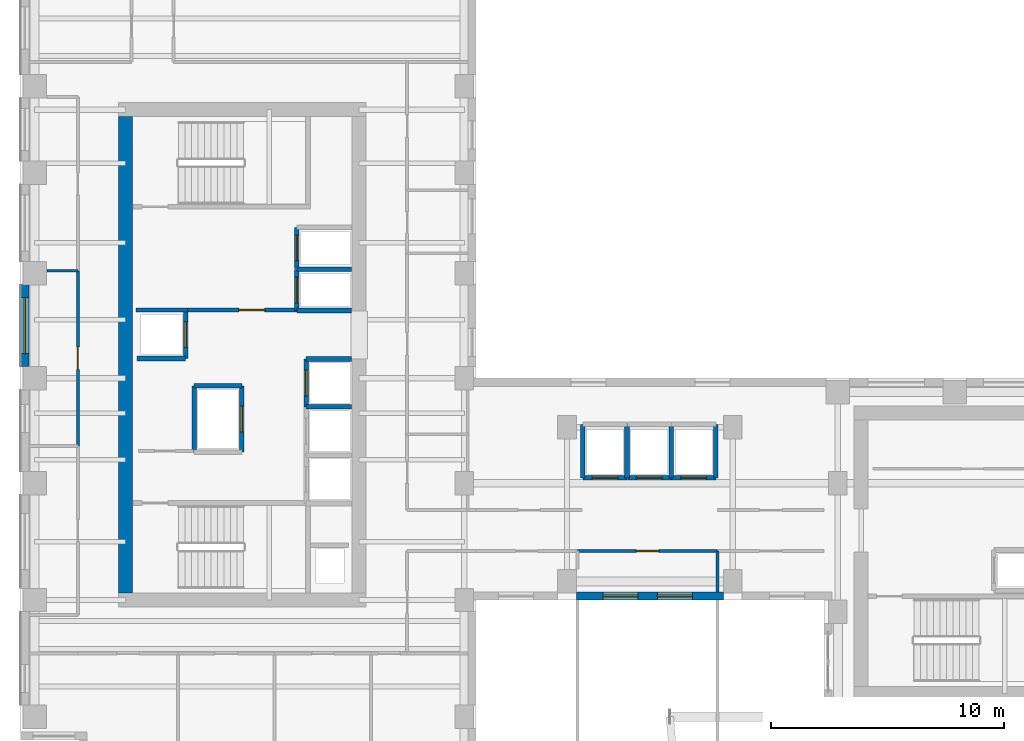
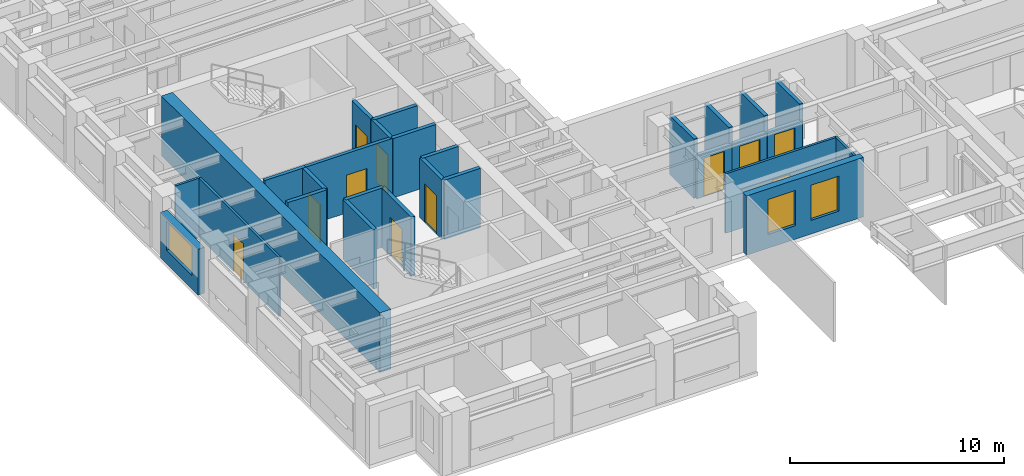
# One storey, part 7 of 13: 28 walls, 11 doors, 3 windows, 14 openings.
"""IFC4 building model written with IfcOpenShell, lengths in metres."""

from ifc_helpers import new_model, si_unit, direction, frame, frame_2d, origin, place, context, subcontext, project, spatial, rectangle, extrude, source, transform, mapped, material, layer, layer_set, type_object, element, fill, save


model = new_model("IFC4")

# Units and contexts
model_context = context("Model", 3, precision=1e-05, world=origin(), true_north=direction((0.0, 1.0)))
body_context = subcontext(model_context, "Body", "Model", "MODEL_VIEW")
ifc_project = project(units=[si_unit("LENGTHUNIT", "METRE"), si_unit("AREAUNIT", "SQUARE_METRE"), si_unit("VOLUMEUNIT", "CUBIC_METRE"), si_unit("PLANEANGLEUNIT", "RADIAN"), si_unit("MASSUNIT", "GRAM", prefix="KILO")], contexts=[model_context])

# Site, building, storey
site_placement = place(None, origin())
site = spatial("IfcSite", under=ifc_project, at=site_placement, CompositionType="ELEMENT")
building_placement = place(site_placement, origin())
building = spatial("IfcBuilding", under=site, at=building_placement, Name="Kharzan Plaza Tower", CompositionType="ELEMENT")
storey_placement = place(building_placement, frame((0.0, 0.0, 189.89990234375)))
storey = spatial("IfcBuildingStorey", under=building, at=storey_placement, Name="L51", CompositionType="ELEMENT", Elevation=189.89990234375)

# Wall, opening, window
ifc_material_1 = material(Name="Concrete C40/50", Category="concrete")
ifc_layer_1 = layer(ifc_material_1, 0.35009765625)
ifc_layer_set_1 = layer_set([ifc_layer_1], Name="Concrete C40/50")
wall_type_1 = type_object("IfcWallType", Name="WL-EXT-MAS-Z3", PredefinedType="SOLIDWALL", material=ifc_layer_set_1)
wall_1_placement = place(storey_placement, frame((0.175048828125, 22.001953125, 0.0), z_axis=(0.0, 0.0, 1.0), x_axis=(0.0, -1.0, 0.0)))
wall_1 = element("IfcWall", 1, at=wall_1_placement, inside=storey, type_object=wall_type_1, Name="L51 Masonry-Frame Exterior Wall 14", PredefinedType="SOLIDWALL", context=body_context, shape_type="SweptSolid", body=[
    extrude(rectangle(XDim=3.50390625, YDim=0.35009765625, at=frame_2d((1.751953125, 0.0))), origin(), (0.0, 0.0, 1.0), 2.612060546875),
])
opening_1_placement = place(wall_1_placement, frame((0.552001953125, 0.0, 0.780029296875)))
opening_1 = element("IfcOpeningElement", 2, at=opening_1_placement, cuts=wall_1, Name="Opening W2", PredefinedType="OPENING", context=body_context, shape_type="SweptSolid", body=[
    extrude(rectangle(XDim=2.39990234375, YDim=1.652099609375, at=frame_2d((1.199951171875, 0.826171875))), frame((0.0, 0.18505859375, 0.0), z_axis=(0.0, -1.0, 0.0), x_axis=(1.0, 0.0, 0.0)), (0.0, 0.0, 1.0), 0.3701171875),
])
ifc_material_2 = material(Name="Low-E Double Glazing", Category="glass")
window_type_1 = type_object("IfcWindowType", Name="WN-REC-2400x2100", PartitioningType="SINGLE_PANEL", PredefinedType="WINDOW", material=ifc_material_2)
shared_shape_1 = source(origin(), body_context, "Body", "SweptSolid", [
    extrude(rectangle(XDim=2.39990234375, YDim=1.652099609375, at=frame_2d((1.199951171875, 0.826171875))), frame((0.0, 0.030029296875, 0.0), z_axis=(0.0, -1.0, 0.0), x_axis=(1.0, 0.0, 0.0)), (0.0, 0.0, 1.0), 0.06005859375),
])
window_1_placement = place(opening_1_placement, origin())
window_1 = element("IfcWindow", 3, at=window_1_placement, inside=storey, type_object=window_type_1, Name="L51 Wide Recessed Solar-Control Window 14-1", OverallHeight=1.652099609375, OverallWidth=2.39990234375, PartitioningType="SINGLE_PANEL", PredefinedType="WINDOW", context=body_context, shape_type="MappedRepresentation", body=[
    mapped(shared_shape_1, transform((0.0, 0.0, 0.0), x_axis=(1.0, 0.0, 0.0), y_axis=(0.0, 1.0, 0.0), z_axis=(0.0, 0.0, 1.0))),
])
fill(opening_1, window_1)

# Wall, openings, windows
wall_2_placement = place(storey_placement, frame((23.798095703125, 8.675048828125, 0.0), z_axis=(0.0, 0.0, 1.0), x_axis=(1.0, 0.0, 0.0)))
wall_2 = element("IfcWall", 4, at=wall_2_placement, inside=storey, type_object=wall_type_1, Name="L51 Masonry-Frame Exterior Wall 27", PredefinedType="SOLIDWALL", context=body_context, shape_type="SweptSolid", body=[
    extrude(rectangle(XDim=6.303955078125, YDim=0.35009765625, at=frame_2d((3.15185546875, 0.0))), origin(), (0.0, 0.0, 1.0), 3.385009765625),
])
opening_2_placement = place(wall_2_placement, frame((1.147216796875, 0.0, 0.780029296875)))
opening_2 = element("IfcOpeningElement", 5, at=opening_2_placement, cuts=wall_2, Name="Opening W5", PredefinedType="OPENING", context=body_context, shape_type="SweptSolid", body=[
    extrude(rectangle(XDim=1.5, YDim=2.0, at=frame_2d((0.75, 1.0))), frame((0.0, 0.18505859375, 0.0), z_axis=(0.0, -1.0, 0.0), x_axis=(1.0, 0.0, 0.0)), (0.0, 0.0, 1.0), 0.3701171875),
])
opening_3_placement = place(wall_2_placement, frame((3.474609375, 0.0, 0.780029296875)))
opening_3 = element("IfcOpeningElement", 6, at=opening_3_placement, cuts=wall_2, Name="Opening W5", PredefinedType="OPENING", context=body_context, shape_type="SweptSolid", body=[
    extrude(rectangle(XDim=1.5, YDim=2.0, at=frame_2d((0.75, 1.0))), frame((0.0, 0.18505859375, 0.0), z_axis=(0.0, -1.0, 0.0), x_axis=(1.0, 0.0, 0.0)), (0.0, 0.0, 1.0), 0.3701171875),
])
window_type_2 = type_object("IfcWindowType", Name="WN-SLT-1500x2000", PartitioningType="SINGLE_PANEL", PredefinedType="WINDOW", material=ifc_material_2)
shared_shape_2 = source(origin(), body_context, "Body", "SweptSolid", [
    extrude(rectangle(XDim=1.5, YDim=2.0, at=frame_2d((0.75, 1.0))), frame((0.0, 0.030029296875, 0.0), z_axis=(0.0, -1.0, 0.0), x_axis=(1.0, 0.0, 0.0)), (0.0, 0.0, 1.0), 0.06005859375),
])
window_2_placement = place(opening_2_placement, origin())
window_2 = element("IfcWindow", 7, at=window_2_placement, inside=storey, type_object=window_type_2, Name="L51 Recessed Solar-Control Window 27-1", OverallHeight=2.0, OverallWidth=1.5, PartitioningType="SINGLE_PANEL", PredefinedType="WINDOW", context=body_context, shape_type="MappedRepresentation", body=[
    mapped(shared_shape_2, transform((0.0, 0.0, 0.0), x_axis=(1.0, 0.0, 0.0), y_axis=(0.0, 1.0, 0.0), z_axis=(0.0, 0.0, 1.0))),
])
fill(opening_2, window_2)
window_3_placement = place(opening_3_placement, origin())
window_3 = element("IfcWindow", 8, at=window_3_placement, inside=storey, type_object=window_type_2, Name="L51 Recessed Solar-Control Window 27-2", OverallHeight=2.0, OverallWidth=1.5, PartitioningType="SINGLE_PANEL", PredefinedType="WINDOW", context=body_context, shape_type="MappedRepresentation", body=[
    mapped(shared_shape_2, transform((0.0, 0.0, 0.0), x_axis=(1.0, 0.0, 0.0), y_axis=(0.0, 1.0, 0.0), z_axis=(0.0, 0.0, 1.0))),
])
fill(opening_3, window_3)

# Wall, opening, door
ifc_layer_2 = layer(ifc_material_1, 0.179931640625)
ifc_layer_set_2 = layer_set([ifc_layer_2], Name="Concrete C40/50")
wall_type_2 = type_object("IfcWallType", Name="WL-INT-FIRE-180", PredefinedType="PARTITIONING", material=ifc_layer_set_2)
wall_3_placement = place(storey_placement, frame((7.14990234375, 20.919921875, 0.0), z_axis=(0.0, 0.0, 1.0), x_axis=(1.0, 0.0, 0.0)))
wall_3 = element("IfcWall", 9, at=wall_3_placement, inside=storey, type_object=wall_type_2, Name="L51 Interior Partition CA-FF-S", PredefinedType="PARTITIONING", context=body_context, shape_type="SweptSolid", body=[
    extrude(rectangle(XDim=4.68017578125, YDim=0.179931640625, at=frame_2d((2.340087890625, 0.0))), origin(), (0.0, 0.0, 1.0), 3.385009765625),
])
opening_4_placement = place(wall_3_placement, frame((2.199951171875, 0.0, 0.0)))
opening_4 = element("IfcOpeningElement", 10, at=opening_4_placement, cuts=wall_3, Name="Opening FD1", PredefinedType="OPENING", context=body_context, shape_type="SweptSolid", body=[
    extrude(rectangle(XDim=1.10009765625, YDim=2.14990234375, at=frame_2d((0.550048828125, 1.074951171875))), frame((0.0, 0.099853515625, 0.0), z_axis=(0.0, -1.0, 0.0), x_axis=(1.0, 0.0, 0.0)), (0.0, 0.0, 1.0), 0.199951171875),
])
ifc_material_3 = material(Name="Fire-Rated Acoustic Vision-Panel Steel", Category="steel")
door_type_1 = type_object("IfcDoorType", Name="DR-FIRE-LOBBY", OperationType="NOTDEFINED", PredefinedType="DOOR", material=ifc_material_3)
shared_shape_3 = source(origin(), body_context, "Body", "SweptSolid", [
    extrude(rectangle(XDim=1.10009765625, YDim=2.14990234375, at=frame_2d((0.550048828125, 1.074951171875))), frame((0.0, 0.02490234375, 0.0), z_axis=(0.0, -1.0, 0.0), x_axis=(1.0, 0.0, 0.0)), (0.0, 0.0, 1.0), 0.050048828125),
])
door_1_placement = place(opening_4_placement, origin())
door_1 = element("IfcDoor", 11, at=door_1_placement, inside=storey, type_object=door_type_1, Name="L51 Firefighting Lobby Door", OperationType="SINGLE_SWING_RIGHT", OverallHeight=2.14990234375, OverallWidth=1.10009765625, PredefinedType="DOOR", context=body_context, shape_type="MappedRepresentation", body=[
    mapped(shared_shape_3, transform((0.0, 0.0, 0.0), x_axis=(1.0, 0.0, 0.0), y_axis=(0.0, 1.0, 0.0), z_axis=(0.0, 0.0, 1.0))),
])
fill(opening_4, door_1)

ifc_material_4 = material(Name="Fire-Rated Gypsum Board Partition", Category="gypsum")
ifc_layer_3 = layer(ifc_material_4, 0.125)
ifc_layer_set_3 = layer_set([ifc_layer_3], Name="Fire-Rated Gypsum Board Partition")
wall_type_3 = type_object("IfcWallType", Name="WL-INT-PART-125", PredefinedType="PARTITIONING", material=ifc_layer_set_3)
wall_4_placement = place(storey_placement, frame((23.85009765625, 10.60009765625, 0.0), z_axis=(0.0, 0.0, 1.0), x_axis=(1.0, 0.0, 0.0)))
wall_4 = element("IfcWall", 12, at=wall_4_placement, inside=storey, type_object=wall_type_3, Name="L51 Interior Partition SH-SPS2", PredefinedType="PARTITIONING", context=body_context, shape_type="SweptSolid", body=[
    extrude(rectangle(XDim=6.0, YDim=0.125, at=frame_2d((3.0, 0.0))), origin(), (0.0, 0.0, 1.0), 3.385009765625),
])
opening_5_placement = place(wall_4_placement, frame((2.52490234375, 0.0, 0.0)))
opening_5 = element("IfcOpeningElement", 13, at=opening_5_placement, cuts=wall_4, Name="Opening OD1", PredefinedType="OPENING", context=body_context, shape_type="SweptSolid", body=[
    extrude(rectangle(XDim=0.949951171875, YDim=2.14990234375, at=frame_2d((0.47509765625, 1.074951171875))), frame((0.0, 0.072509765625, 0.0), z_axis=(0.0, -1.0, 0.0), x_axis=(1.0, 0.0, 0.0)), (0.0, 0.0, 1.0), 0.14501953125),
])
ifc_material_5 = material(Name="Acoustic Solid-Core Stained Oak", Category="timber")
door_type_2 = type_object("IfcDoorType", Name="DR-OFF-SINGLE", OperationType="NOTDEFINED", PredefinedType="DOOR", material=ifc_material_5)
shared_shape_4 = source(origin(), body_context, "Body", "SweptSolid", [
    extrude(rectangle(XDim=0.949951171875, YDim=2.14990234375, at=frame_2d((0.47509765625, 1.074951171875))), frame((0.0, 0.02490234375, 0.0), z_axis=(0.0, -1.0, 0.0), x_axis=(1.0, 0.0, 0.0)), (0.0, 0.0, 1.0), 0.050048828125),
])
door_2_placement = place(opening_5_placement, origin())
door_2 = element("IfcDoor", 14, at=door_2_placement, inside=storey, type_object=door_type_2, Name="L51 Spine Studio 2 Door", OperationType="SINGLE_SWING_RIGHT", OverallHeight=2.14990234375, OverallWidth=0.949951171875, PredefinedType="DOOR", context=body_context, shape_type="MappedRepresentation", body=[
    mapped(shared_shape_4, transform((0.0, 0.0, 0.0), x_axis=(1.0, 0.0, 0.0), y_axis=(0.0, 1.0, 0.0), z_axis=(0.0, 0.0, 1.0))),
])
fill(opening_5, door_2)

wall_5_placement = place(storey_placement, frame((2.449951171875, 15.10009765625, 0.0), z_axis=(0.0, 0.0, 1.0), x_axis=(0.0, 1.0, 0.0)))
wall_5 = element("IfcWall", 15, at=wall_5_placement, inside=storey, type_object=wall_type_3, Name="L51 Interior Partition SH-WW-2", PredefinedType="PARTITIONING", context=body_context, shape_type="SweptSolid", body=[
    extrude(rectangle(XDim=7.5, YDim=0.125, at=frame_2d((3.75, 0.0))), origin(), (0.0, 0.0, 1.0), 3.385009765625),
])
opening_6_placement = place(wall_5_placement, frame((3.27490234375, 0.0, 0.0)))
opening_6 = element("IfcOpeningElement", 16, at=opening_6_placement, cuts=wall_5, Name="Opening OD1", PredefinedType="OPENING", context=body_context, shape_type="SweptSolid", body=[
    extrude(rectangle(XDim=0.949951171875, YDim=2.14990234375, at=frame_2d((0.47509765625, 1.074951171875))), frame((0.0, 0.072509765625, 0.0), z_axis=(0.0, -1.0, 0.0), x_axis=(1.0, 0.0, 0.0)), (0.0, 0.0, 1.0), 0.14501953125),
])
door_3_placement = place(opening_6_placement, origin())
door_3 = element("IfcDoor", 17, at=door_3_placement, inside=storey, type_object=door_type_2, Name="L51 Executive Boardroom Door", OperationType="SINGLE_SWING_LEFT", OverallHeight=2.14990234375, OverallWidth=0.949951171875, PredefinedType="DOOR", context=body_context, shape_type="MappedRepresentation", body=[
    mapped(shared_shape_4, transform((0.0, 0.0, 0.0), x_axis=(1.0, 0.0, 0.0), y_axis=(0.0, 1.0, 0.0), z_axis=(0.0, 0.0, 1.0))),
])
fill(opening_6, door_3)

ifc_layer_4 = layer(ifc_material_1, 0.199951171875)
ifc_layer_set_4 = layer_set([ifc_layer_4], Name="Concrete C40/50")
wall_type_4 = type_object("IfcWallType", Name="WL-INT-SHAFT-200", PredefinedType="PARTITIONING", material=ifc_layer_set_4)
wall_6_placement = place(storey_placement, frame((11.830078125, 20.89990234375, 0.0), z_axis=(0.0, 0.0, 1.0), x_axis=(0.0, 1.0, 0.0)))
wall_6 = element("IfcWall", 18, at=wall_6_placement, inside=storey, type_object=wall_type_4, Name="L51 Interior Partition SHF-FFL-1-W", PredefinedType="PARTITIONING", context=body_context, shape_type="SweptSolid", body=[
    extrude(rectangle(XDim=1.760009765625, YDim=0.199951171875, at=frame_2d((0.8798828125, 0.0))), origin(), (0.0, 0.0, 1.0), 3.385009765625),
])
opening_7_placement = place(wall_6_placement, frame((0.330078125, 0.0, 0.0)))
opening_7 = element("IfcOpeningElement", 19, at=opening_7_placement, cuts=wall_6, Name="Opening LD", PredefinedType="OPENING", context=body_context, shape_type="SweptSolid", body=[
    extrude(rectangle(XDim=1.10009765625, YDim=2.199951171875, at=frame_2d((0.550048828125, 1.10009765625))), frame((0.0, 0.10986328125, 0.0), z_axis=(0.0, -1.0, 0.0), x_axis=(1.0, 0.0, 0.0)), (0.0, 0.0, 1.0), 0.219970703125),
])
ifc_material_6 = material(Name="Brushed Stainless Steel", Category="steel")
door_type_3 = type_object("IfcDoorType", Name="DR-LIFT-SLIDE", OperationType="SLIDING_TO_LEFT", PredefinedType="DOOR", material=ifc_material_6)
shared_shape_5 = source(origin(), body_context, "Body", "SweptSolid", [
    extrude(rectangle(XDim=1.10009765625, YDim=2.199951171875, at=frame_2d((0.550048828125, 1.10009765625))), frame((0.0, 0.02490234375, 0.0), z_axis=(0.0, -1.0, 0.0), x_axis=(1.0, 0.0, 0.0)), (0.0, 0.0, 1.0), 0.050048828125),
])
door_4_placement = place(opening_7_placement, origin())
door_4 = element("IfcDoor", 20, at=door_4_placement, inside=storey, type_object=door_type_3, Name="L51 Firefighting Lift FFL-1 Sliding Landing Door", OperationType="SLIDING_TO_LEFT", OverallHeight=2.199951171875, OverallWidth=1.10009765625, PredefinedType="DOOR", context=body_context, shape_type="MappedRepresentation", body=[
    mapped(shared_shape_5, transform((0.0, 0.0, 0.0), x_axis=(1.0, 0.0, 0.0), y_axis=(0.0, 1.0, 0.0), z_axis=(0.0, 0.0, 1.0))),
])
fill(opening_7, door_4)

wall_7_placement = place(storey_placement, frame((11.830078125, 22.699951171875, 0.0), z_axis=(0.0, 0.0, 1.0), x_axis=(0.0, 1.0, 0.0)))
wall_7 = element("IfcWall", 21, at=wall_7_placement, inside=storey, type_object=wall_type_4, Name="L51 Interior Partition SHF-FFL-2-W", PredefinedType="PARTITIONING", context=body_context, shape_type="SweptSolid", body=[
    extrude(rectangle(XDim=1.760009765625, YDim=0.199951171875, at=frame_2d((0.8798828125, 0.0))), origin(), (0.0, 0.0, 1.0), 3.385009765625),
])
opening_8_placement = place(wall_7_placement, frame((0.330078125, 0.0, 0.0)))
opening_8 = element("IfcOpeningElement", 22, at=opening_8_placement, cuts=wall_7, Name="Opening LD", PredefinedType="OPENING", context=body_context, shape_type="SweptSolid", body=[
    extrude(rectangle(XDim=1.10009765625, YDim=2.199951171875, at=frame_2d((0.550048828125, 1.10009765625))), frame((0.0, 0.10986328125, 0.0), z_axis=(0.0, -1.0, 0.0), x_axis=(1.0, 0.0, 0.0)), (0.0, 0.0, 1.0), 0.219970703125),
])
door_5_placement = place(opening_8_placement, origin())
door_5 = element("IfcDoor", 23, at=door_5_placement, inside=storey, type_object=door_type_3, Name="L51 Firefighting Lift FFL-2 Sliding Landing Door", OperationType="SLIDING_TO_LEFT", OverallHeight=2.199951171875, OverallWidth=1.10009765625, PredefinedType="DOOR", context=body_context, shape_type="MappedRepresentation", body=[
    mapped(shared_shape_5, transform((0.0, 0.0, 0.0), x_axis=(1.0, 0.0, 0.0), y_axis=(0.0, 1.0, 0.0), z_axis=(0.0, 0.0, 1.0))),
])
fill(opening_8, door_5)

wall_8_placement = place(storey_placement, frame((12.22998046875, 16.77001953125, 0.0), z_axis=(0.0, 0.0, 1.0), x_axis=(0.0, 1.0, 0.0)))
wall_8 = element("IfcWall", 24, at=wall_8_placement, inside=storey, type_object=wall_type_4, Name="L51 Interior Partition SHF-PL-H3-W", PredefinedType="PARTITIONING", context=body_context, shape_type="SweptSolid", body=[
    extrude(rectangle(XDim=2.050048828125, YDim=0.199951171875, at=frame_2d((1.02490234375, 0.0))), origin(), (0.0, 0.0, 1.0), 3.385009765625),
])
opening_9_placement = place(wall_8_placement, frame((0.47509765625, 0.0, 0.0)))
opening_9 = element("IfcOpeningElement", 25, at=opening_9_placement, cuts=wall_8, Name="Opening LD", PredefinedType="OPENING", context=body_context, shape_type="SweptSolid", body=[
    extrude(rectangle(XDim=1.10009765625, YDim=2.199951171875, at=frame_2d((0.550048828125, 1.10009765625))), frame((0.0, 0.10986328125, 0.0), z_axis=(0.0, -1.0, 0.0), x_axis=(1.0, 0.0, 0.0)), (0.0, 0.0, 1.0), 0.219970703125),
])
door_6_placement = place(opening_9_placement, origin())
door_6 = element("IfcDoor", 26, at=door_6_placement, inside=storey, type_object=door_type_3, Name="L51 High-Rise Passenger Lift PL-H3 Sliding Landing Door", OperationType="SLIDING_TO_LEFT", OverallHeight=2.199951171875, OverallWidth=1.10009765625, PredefinedType="DOOR", context=body_context, shape_type="MappedRepresentation", body=[
    mapped(shared_shape_5, transform((0.0, 0.0, 0.0), x_axis=(1.0, 0.0, 0.0), y_axis=(0.0, 1.0, 0.0), z_axis=(0.0, 0.0, 1.0))),
])
fill(opening_9, door_6)

wall_9_placement = place(storey_placement, frame((7.070068359375, 18.840087890625, 0.0), z_axis=(0.0, 0.0, 1.0), x_axis=(0.0, 1.0, 0.0)))
wall_9 = element("IfcWall", 27, at=wall_9_placement, inside=storey, type_object=wall_type_4, Name="L51 Interior Partition SHF-PL-H4-E", PredefinedType="PARTITIONING", context=body_context, shape_type="SweptSolid", body=[
    extrude(rectangle(XDim=2.059814453125, YDim=0.199951171875, at=frame_2d((1.02978515625, 0.0))), origin(), (0.0, 0.0, 1.0), 3.385009765625),
])
opening_10_placement = place(wall_9_placement, frame((0.47998046875, 0.0, 0.0)))
opening_10 = element("IfcOpeningElement", 28, at=opening_10_placement, cuts=wall_9, Name="Opening LD", PredefinedType="OPENING", context=body_context, shape_type="SweptSolid", body=[
    extrude(rectangle(XDim=1.10009765625, YDim=2.199951171875, at=frame_2d((0.550048828125, 1.10009765625))), frame((0.0, 0.10986328125, 0.0), z_axis=(0.0, -1.0, 0.0), x_axis=(1.0, 0.0, 0.0)), (0.0, 0.0, 1.0), 0.219970703125),
])
door_7_placement = place(opening_10_placement, origin())
door_7 = element("IfcDoor", 29, at=door_7_placement, inside=storey, type_object=door_type_3, Name="L51 High-Rise Passenger Lift PL-H4 Sliding Landing Door", OperationType="SLIDING_TO_LEFT", OverallHeight=2.199951171875, OverallWidth=1.10009765625, PredefinedType="DOOR", context=body_context, shape_type="MappedRepresentation", body=[
    mapped(shared_shape_5, transform((0.0, 0.0, 0.0), x_axis=(1.0, 0.0, 0.0), y_axis=(0.0, 1.0, 0.0), z_axis=(0.0, 0.0, 1.0))),
])
fill(opening_10, door_7)

wall_10_placement = place(storey_placement, frame((24.080078125, 13.72998046875, 0.0), z_axis=(0.0, 0.0, 1.0), x_axis=(1.0, 0.0, 0.0)))
wall_10 = element("IfcWall", 30, at=wall_10_placement, inside=storey, type_object=wall_type_4, Name="L51 Interior Partition SHF-PL-M1-S", PredefinedType="PARTITIONING", context=body_context, shape_type="SweptSolid", body=[
    extrude(rectangle(XDim=1.889892578125, YDim=0.199951171875, at=frame_2d((0.94482421875, 0.0))), origin(), (0.0, 0.0, 1.0), 2.466064453125),
])
opening_11_placement = place(wall_10_placement, frame((0.39501953125, 0.0, 0.0)))
opening_11 = element("IfcOpeningElement", 31, at=opening_11_placement, cuts=wall_10, Name="Opening LD", PredefinedType="OPENING", context=body_context, shape_type="SweptSolid", body=[
    extrude(rectangle(XDim=1.10009765625, YDim=2.199951171875, at=frame_2d((0.550048828125, 1.10009765625))), frame((0.0, 0.10986328125, 0.0), z_axis=(0.0, -1.0, 0.0), x_axis=(1.0, 0.0, 0.0)), (0.0, 0.0, 1.0), 0.219970703125),
])
door_8_placement = place(opening_11_placement, origin())
door_8 = element("IfcDoor", 32, at=door_8_placement, inside=storey, type_object=door_type_3, Name="L51 Mid-Rise Passenger Lift PL-M1 Sliding Landing Door", OperationType="SLIDING_TO_LEFT", OverallHeight=2.199951171875, OverallWidth=1.10009765625, PredefinedType="DOOR", context=body_context, shape_type="MappedRepresentation", body=[
    mapped(shared_shape_5, transform((0.0, 0.0, 0.0), x_axis=(1.0, 0.0, 0.0), y_axis=(0.0, 1.0, 0.0), z_axis=(0.0, 0.0, 1.0))),
])
fill(opening_11, door_8)

wall_11_placement = place(storey_placement, frame((25.97998046875, 13.72998046875, 0.0), z_axis=(0.0, 0.0, 1.0), x_axis=(1.0, 0.0, 0.0)))
wall_11 = element("IfcWall", 33, at=wall_11_placement, inside=storey, type_object=wall_type_4, Name="L51 Interior Partition SHF-PL-M2-S", PredefinedType="PARTITIONING", context=body_context, shape_type="SweptSolid", body=[
    extrude(rectangle(XDim=1.89013671875, YDim=0.199951171875, at=frame_2d((0.945068359375, 0.0))), origin(), (0.0, 0.0, 1.0), 2.466064453125),
])
opening_12_placement = place(wall_11_placement, frame((0.39501953125, 0.0, 0.0)))
opening_12 = element("IfcOpeningElement", 34, at=opening_12_placement, cuts=wall_11, Name="Opening LD", PredefinedType="OPENING", context=body_context, shape_type="SweptSolid", body=[
    extrude(rectangle(XDim=1.10009765625, YDim=2.199951171875, at=frame_2d((0.550048828125, 1.10009765625))), frame((0.0, 0.10986328125, 0.0), z_axis=(0.0, -1.0, 0.0), x_axis=(1.0, 0.0, 0.0)), (0.0, 0.0, 1.0), 0.219970703125),
])
door_9_placement = place(opening_12_placement, origin())
door_9 = element("IfcDoor", 35, at=door_9_placement, inside=storey, type_object=door_type_3, Name="L51 Mid-Rise Passenger Lift PL-M2 Sliding Landing Door", OperationType="SLIDING_TO_LEFT", OverallHeight=2.199951171875, OverallWidth=1.10009765625, PredefinedType="DOOR", context=body_context, shape_type="MappedRepresentation", body=[
    mapped(shared_shape_5, transform((0.0, 0.0, 0.0), x_axis=(1.0, 0.0, 0.0), y_axis=(0.0, 1.0, 0.0), z_axis=(0.0, 0.0, 1.0))),
])
fill(opening_12, door_9)

wall_12_placement = place(storey_placement, frame((27.8798828125, 13.72998046875, 0.0), z_axis=(0.0, 0.0, 1.0), x_axis=(1.0, 0.0, 0.0)))
wall_12 = element("IfcWall", 36, at=wall_12_placement, inside=storey, type_object=wall_type_4, Name="L51 Interior Partition SHF-PL-M3-S", PredefinedType="PARTITIONING", context=body_context, shape_type="SweptSolid", body=[
    extrude(rectangle(XDim=1.89013671875, YDim=0.199951171875, at=frame_2d((0.945068359375, 0.0))), origin(), (0.0, 0.0, 1.0), 2.466064453125),
])
opening_13_placement = place(wall_12_placement, frame((0.39501953125, 0.0, 0.0)))
opening_13 = element("IfcOpeningElement", 37, at=opening_13_placement, cuts=wall_12, Name="Opening LD", PredefinedType="OPENING", context=body_context, shape_type="SweptSolid", body=[
    extrude(rectangle(XDim=1.10009765625, YDim=2.199951171875, at=frame_2d((0.550048828125, 1.10009765625))), frame((0.0, 0.10986328125, 0.0), z_axis=(0.0, -1.0, 0.0), x_axis=(1.0, 0.0, 0.0)), (0.0, 0.0, 1.0), 0.219970703125),
])
door_10_placement = place(opening_13_placement, origin())
door_10 = element("IfcDoor", 38, at=door_10_placement, inside=storey, type_object=door_type_3, Name="L51 Mid-Rise Passenger Lift PL-M3 Sliding Landing Door", OperationType="SLIDING_TO_LEFT", OverallHeight=2.199951171875, OverallWidth=1.10009765625, PredefinedType="DOOR", context=body_context, shape_type="MappedRepresentation", body=[
    mapped(shared_shape_5, transform((0.0, 0.0, 0.0), x_axis=(1.0, 0.0, 0.0), y_axis=(0.0, 1.0, 0.0), z_axis=(0.0, 0.0, 1.0))),
])
fill(opening_13, door_10)

wall_13_placement = place(storey_placement, frame((9.469970703125, 14.830078125, 0.0), z_axis=(0.0, 0.0, 1.0), x_axis=(0.0, 1.0, 0.0)))
wall_13 = element("IfcWall", 39, at=wall_13_placement, inside=storey, type_object=wall_type_4, Name="L51 Interior Partition SHF-SVL-1-E", PredefinedType="PARTITIONING", context=body_context, shape_type="SweptSolid", body=[
    extrude(rectangle(XDim=2.83984375, YDim=0.199951171875, at=frame_2d((1.419921875, 0.0))), origin(), (0.0, 0.0, 1.0), 3.385009765625),
])
opening_14_placement = place(wall_13_placement, frame((0.8701171875, 0.0, 0.0)))
opening_14 = element("IfcOpeningElement", 40, at=opening_14_placement, cuts=wall_13, Name="Opening LD", PredefinedType="OPENING", context=body_context, shape_type="SweptSolid", body=[
    extrude(rectangle(XDim=1.10009765625, YDim=2.199951171875, at=frame_2d((0.550048828125, 1.10009765625))), frame((0.0, 0.10986328125, 0.0), z_axis=(0.0, -1.0, 0.0), x_axis=(1.0, 0.0, 0.0)), (0.0, 0.0, 1.0), 0.219970703125),
])
door_11_placement = place(opening_14_placement, origin())
door_11 = element("IfcDoor", 41, at=door_11_placement, inside=storey, type_object=door_type_3, Name="L51 Service Lift SVL-1 Sliding Landing Door", OperationType="SLIDING_TO_LEFT", OverallHeight=2.199951171875, OverallWidth=1.10009765625, PredefinedType="DOOR", context=body_context, shape_type="MappedRepresentation", body=[
    mapped(shared_shape_5, transform((0.0, 0.0, 0.0), x_axis=(1.0, 0.0, 0.0), y_axis=(0.0, 1.0, 0.0), z_axis=(0.0, 0.0, 1.0))),
])
fill(opening_14, door_11)

# Walls
shared_shape_6 = source(origin(), body_context, "Body", "SweptSolid", [
    extrude(rectangle(XDim=2.199951171875, YDim=0.179931640625, at=frame_2d((1.10009765625, 0.0))), origin(), (0.0, 0.0, 1.0), 3.385009765625),
])
wall_14_placement = place(storey_placement, frame((4.949951171875, 20.919921875, 0.0), z_axis=(0.0, 0.0, 1.0), x_axis=(1.0, 0.0, 0.0)))
element("IfcWall", 42, at=wall_14_placement, inside=storey, type_object=wall_type_2, Name="L51 Interior Partition CA-FF-SW", PredefinedType="PARTITIONING", context=body_context, shape_type="MappedRepresentation", body=[
    mapped(shared_shape_6, transform((0.0, 0.0, 0.0), x_axis=(1.0, 0.0, 0.0), y_axis=(0.0, 1.0, 0.0), z_axis=(0.0, 0.0, 1.0))),
])
shared_shape_7 = source(origin(), body_context, "Body", "SweptSolid", [
    extrude(rectangle(XDim=2.33984375, YDim=0.199951171875, at=frame_2d((1.169921875, 0.0))), origin(), (0.0, 0.0, 1.0), 3.385009765625),
])
for number, where, z_axis, x_axis, name in (
    (43, (11.830078125, 22.659912109375, 0.0), (0.0, 0.0, 1.0), (1.0, 0.0, 0.0), "L51 Interior Partition SHF-FFL-1-N"),
    (44, (11.830078125, 20.89990234375, 0.0), (0.0, 0.0, 1.0), (1.0, 0.0, 0.0), "L51 Interior Partition SHF-FFL-1-S"),
):
    element("IfcWall", number, at=place(storey_placement, frame(where, z_axis=z_axis, x_axis=x_axis)), inside=storey, type_object=wall_type_4, Name=name, PredefinedType="PARTITIONING", context=body_context, shape_type="MappedRepresentation", body=[
        mapped(shared_shape_7, transform((0.0, 0.0, 0.0), x_axis=(1.0, 0.0, 0.0), y_axis=(0.0, 1.0, 0.0), z_axis=(0.0, 0.0, 1.0))),
    ])
shared_shape_8 = source(origin(), body_context, "Body", "SweptSolid", [
    extrude(rectangle(XDim=1.93994140625, YDim=0.199951171875, at=frame_2d((0.969970703125, 0.0))), origin(), (0.0, 0.0, 1.0), 3.385009765625),
])
for number, where, z_axis, x_axis, name in (
    (45, (12.22998046875, 16.77001953125, 0.0), (0.0, 0.0, 1.0), (1.0, 0.0, 0.0), "L51 Interior Partition SHF-PL-H2-N"),
    (46, (12.22998046875, 18.820068359375, 0.0), (0.0, 0.0, 1.0), (1.0, 0.0, 0.0), "L51 Interior Partition SHF-PL-H3-N"),
):
    element("IfcWall", number, at=place(storey_placement, frame(where, z_axis=z_axis, x_axis=x_axis)), inside=storey, type_object=wall_type_4, Name=name, PredefinedType="PARTITIONING", context=body_context, shape_type="MappedRepresentation", body=[
        mapped(shared_shape_8, transform((0.0, 0.0, 0.0), x_axis=(1.0, 0.0, 0.0), y_axis=(0.0, 1.0, 0.0), z_axis=(0.0, 0.0, 1.0))),
    ])
shared_shape_9 = source(origin(), body_context, "Body", "SweptSolid", [
    extrude(rectangle(XDim=2.090087890625, YDim=0.199951171875, at=frame_2d((1.044921875, 0.0))), origin(), (0.0, 0.0, 1.0), 3.385009765625),
])
wall_15_placement = place(storey_placement, frame((4.97998046875, 18.840087890625, 0.0), z_axis=(0.0, 0.0, 1.0), x_axis=(1.0, 0.0, 0.0)))
element("IfcWall", 47, at=wall_15_placement, inside=storey, type_object=wall_type_4, Name="L51 Interior Partition SHF-PL-H4-S", PredefinedType="PARTITIONING", context=body_context, shape_type="MappedRepresentation", body=[
    mapped(shared_shape_9, transform((0.0, 0.0, 0.0), x_axis=(1.0, 0.0, 0.0), y_axis=(0.0, 1.0, 0.0), z_axis=(0.0, 0.0, 1.0))),
])
shared_shape_10 = source(origin(), body_context, "Body", "SweptSolid", [
    extrude(rectangle(XDim=2.2900390625, YDim=0.199951171875, at=frame_2d((1.14501953125, 0.0))), origin(), (0.0, 0.0, 1.0), 3.385009765625),
])
for number, where, z_axis, x_axis, name in (
    (48, (25.969970703125, 13.72998046875, 0.0), (0.0, 0.0, 1.0), (0.0, 1.0, 0.0), "L51 Interior Partition SHF-PL-M1-E"),
    (49, (24.080078125, 13.72998046875, 0.0), (0.0, 0.0, 1.0), (0.0, 1.0, 0.0), "L51 Interior Partition SHF-PL-M1-W"),
    (50, (27.8701171875, 13.72998046875, 0.0), (0.0, 0.0, 1.0), (0.0, 1.0, 0.0), "L51 Interior Partition SHF-PL-M2-E"),
    (51, (29.77001953125, 13.72998046875, 0.0), (0.0, 0.0, 1.0), (0.0, 1.0, 0.0), "L51 Interior Partition SHF-PL-M3-E"),
):
    element("IfcWall", number, at=place(storey_placement, frame(where, z_axis=z_axis, x_axis=x_axis)), inside=storey, type_object=wall_type_4, Name=name, PredefinedType="PARTITIONING", context=body_context, shape_type="MappedRepresentation", body=[
        mapped(shared_shape_10, transform((0.0, 0.0, 0.0), x_axis=(1.0, 0.0, 0.0), y_axis=(0.0, 1.0, 0.0), z_axis=(0.0, 0.0, 1.0))),
    ])
shared_shape_11 = source(origin(), body_context, "Body", "SweptSolid", [
    extrude(rectangle(XDim=2.0400390625, YDim=0.199951171875, at=frame_2d((1.02001953125, 0.0))), origin(), (0.0, 0.0, 1.0), 3.385009765625),
])
wall_16_placement = place(storey_placement, frame((7.429931640625, 17.669921875, 0.0), z_axis=(0.0, 0.0, 1.0), x_axis=(1.0, 0.0, 0.0)))
element("IfcWall", 52, at=wall_16_placement, inside=storey, type_object=wall_type_4, Name="L51 Interior Partition SHF-SVL-1-N", PredefinedType="PARTITIONING", context=body_context, shape_type="MappedRepresentation", body=[
    mapped(shared_shape_11, transform((0.0, 0.0, 0.0), x_axis=(1.0, 0.0, 0.0), y_axis=(0.0, 1.0, 0.0), z_axis=(0.0, 0.0, 1.0))),
])
shared_shape_12 = source(origin(), body_context, "Body", "SweptSolid", [
    extrude(rectangle(XDim=2.83984375, YDim=0.199951171875, at=frame_2d((1.419921875, 0.0))), origin(), (0.0, 0.0, 1.0), 3.385009765625),
])
wall_17_placement = place(storey_placement, frame((7.429931640625, 14.830078125, 0.0), z_axis=(0.0, 0.0, 1.0), x_axis=(0.0, 1.0, 0.0)))
element("IfcWall", 53, at=wall_17_placement, inside=storey, type_object=wall_type_4, Name="L51 Interior Partition SHF-SVL-1-W", PredefinedType="PARTITIONING", context=body_context, shape_type="MappedRepresentation", body=[
    mapped(shared_shape_12, transform((0.0, 0.0, 0.0), x_axis=(1.0, 0.0, 0.0), y_axis=(0.0, 1.0, 0.0), z_axis=(0.0, 0.0, 1.0))),
])
ifc_material_7 = material(Name="Concrete C50/60", Category="concrete")
ifc_layer_5 = layer(ifc_material_7, 0.60009765625)
ifc_layer_set_5 = layer_set([ifc_layer_5], Name="Concrete C50/60")
wall_type_5 = type_object("IfcWallType", Name="WL-CORE-600", PredefinedType="SHEAR", material=ifc_layer_set_5)
shared_shape_13 = source(origin(), body_context, "Body", "SweptSolid", [
    extrude(rectangle(XDim=20.39990234375, YDim=0.60009765625, at=frame_2d((10.199951171875, 0.0))), origin(), (0.0, 0.0, 1.0), 3.400146484375),
])
wall_18_placement = place(storey_placement, frame((4.5, 8.800048828125, 0.0), z_axis=(0.0, 0.0, 1.0), x_axis=(0.0, 1.0, 0.0)))
element("IfcWall", 54, at=wall_18_placement, inside=storey, type_object=wall_type_5, Name="L51 CORE-A west RC shear wall", PredefinedType="SHEAR", context=body_context, shape_type="MappedRepresentation", body=[
    mapped(shared_shape_13, transform((0.0, 0.0, 0.0), x_axis=(1.0, 0.0, 0.0), y_axis=(0.0, 1.0, 0.0), z_axis=(0.0, 0.0, 1.0))),
])
shared_shape_14 = source(origin(), body_context, "Body", "SweptSolid", [
    extrude(rectangle(XDim=1.329833984375, YDim=0.125, at=frame_2d((0.6650390625, 0.0))), origin(), (0.0, 0.0, 1.0), 3.385009765625),
])
wall_19_placement = place(storey_placement, frame((1.1201171875, 22.60009765625, 0.0), z_axis=(0.0, 0.0, 1.0), x_axis=(1.0, 0.0, 0.0)))
element("IfcWall", 55, at=wall_19_placement, inside=storey, type_object=wall_type_3, Name="L51 Interior Partition SH-WH-2", PredefinedType="PARTITIONING", context=body_context, shape_type="MappedRepresentation", body=[
    mapped(shared_shape_14, transform((0.0, 0.0, 0.0), x_axis=(1.0, 0.0, 0.0), y_axis=(0.0, 1.0, 0.0), z_axis=(0.0, 0.0, 1.0))),
])
shared_shape_15 = source(origin(), body_context, "Body", "SweptSolid", [
    extrude(rectangle(XDim=1.748046875, YDim=0.125, at=frame_2d((0.8740234375, 0.0))), origin(), (0.0, 0.0, 1.0), 3.385009765625),
])
wall_20_placement = place(storey_placement, frame((29.85009765625, 8.85205078125, 0.0), z_axis=(0.0, 0.0, 1.0), x_axis=(0.0, 1.0, 0.0)))
element("IfcWall", 56, at=wall_20_placement, inside=storey, type_object=wall_type_3, Name="L51 Interior Partition SH-SPSV2-S2", PredefinedType="PARTITIONING", context=body_context, shape_type="MappedRepresentation", body=[
    mapped(shared_shape_15, transform((0.0, 0.0, 0.0), x_axis=(1.0, 0.0, 0.0), y_axis=(0.0, 1.0, 0.0), z_axis=(0.0, 0.0, 1.0))),
])

save(model, "model.ifc")
